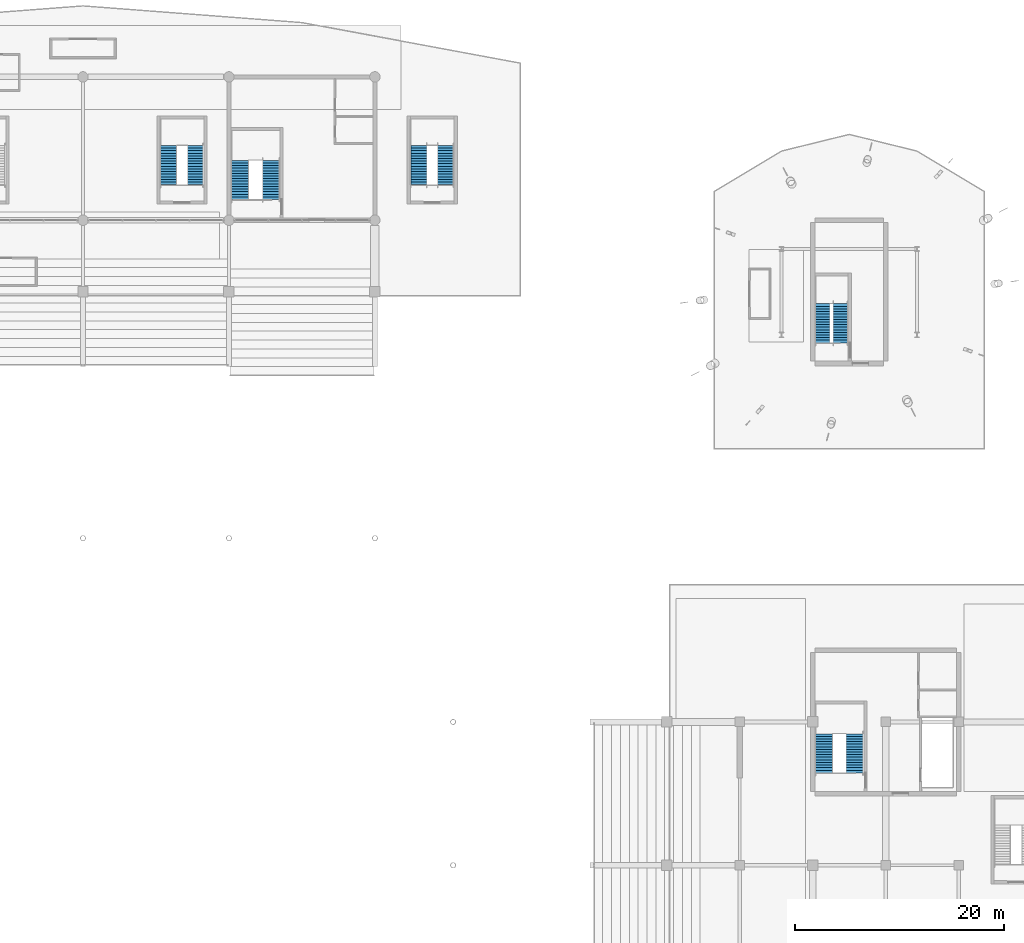
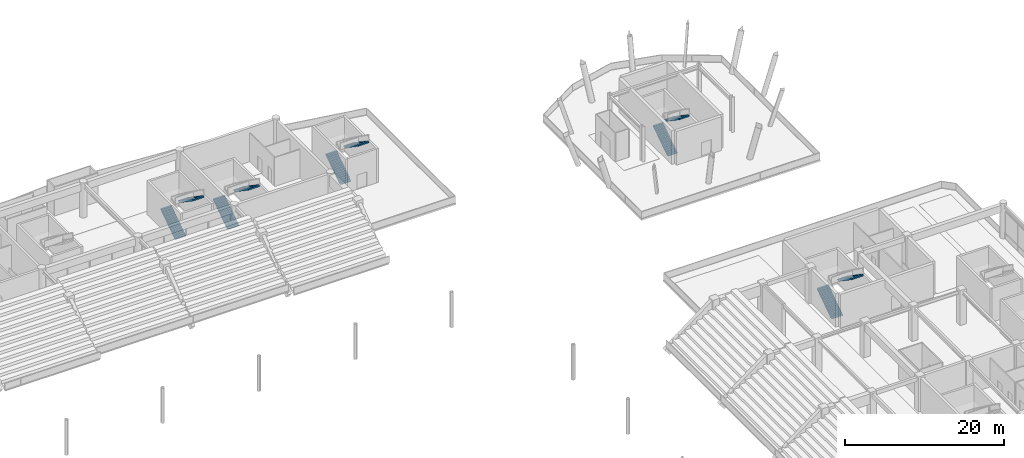
# One storey, part 102 of 117: 10 stair flights, 5 elements without a shape of their own.
"""IFC4 building model written with IfcOpenShell, lengths in metres."""

from ifc_helpers import new_model, si_unit, direction, frame, origin, place, context, subcontext, project, spatial, polyline, outline, extrude, material, type_object, element, aggregate, save


model = new_model("IFC4")

# Units and contexts
model_context = context("Model", 3, precision=1e-05, world=origin(), true_north=direction((0.0, 1.0)))
body_context = subcontext(model_context, "Body", "Model", "MODEL_VIEW")
ifc_project = project(units=[si_unit("LENGTHUNIT", "METRE"), si_unit("AREAUNIT", "SQUARE_METRE"), si_unit("VOLUMEUNIT", "CUBIC_METRE"), si_unit("PLANEANGLEUNIT", "RADIAN"), si_unit("MASSUNIT", "GRAM", prefix="KILO")], contexts=[model_context])

# Site, building, storey
site_placement = place(None, origin())
site = spatial("IfcSite", under=ifc_project, at=site_placement, CompositionType="ELEMENT")
building_placement = place(site_placement, origin())
building = spatial("IfcBuilding", under=site, at=building_placement, Name="Linyun Crest Stadium", CompositionType="ELEMENT")
storey_placement = place(building_placement, frame((0.0, 0.0, 6.0)))
storey = spatial("IfcBuildingStorey", under=building, at=storey_placement, Name="L02", CompositionType="ELEMENT", Elevation=6.0)

# Stair, stair flights
ifc_material_1 = material(Name="Concrete C40", Category="concrete")
stair_type = type_object("IfcStairType", Name="STA02", PredefinedType="HALF_TURN_STAIR", material=ifc_material_1)
stair_1_placement = place(storey_placement, origin())
stair_1 = element("IfcStair", 1, at=stair_1_placement, inside=storey, type_object=stair_type, Name="Evacuation stair STR-06-L02", PredefinedType="HALF_TURN_STAIR")
ifc_material_2 = material(Name="Concrete C40", Category="concrete")
stair_flight_type_1 = type_object("IfcStairFlightType", Name="STF01", PredefinedType="STRAIGHT", material=ifc_material_2)
stair_flight_1_placement = place(storey_placement, frame((71.090087890625, 38.489990234375, 0.0), z_axis=(0.0, 0.0, 1.0), x_axis=(0.0, 1.0, 0.0)))
stair_flight_1 = element("IfcStairFlight", 2, at=stair_flight_1_placement, type_object=stair_flight_type_1, Name="STR-06-L02 flight 1", NumberOfRisers=16, NumberOfTreads=15, PredefinedType="STRAIGHT", RiserHeight=0.16875, TreadLength=0.25, context=body_context, shape_type="SweptSolid", body=[
    extrude(outline(polyline([(0.0, 0.0), (0.0, 0.168701171875), (0.25, 0.168701171875), (0.25, 0.33740234375), (0.5, 0.33740234375), (0.5, 0.50634765625), (0.75, 0.50634765625), (0.75, 0.675048828125), (1.0, 0.675048828125), (1.0, 0.84375), (1.25, 0.84375), (1.25, 1.012451171875), (1.5, 1.012451171875), (1.5, 1.18115234375), (1.75, 1.18115234375), (1.75, 1.35009765625), (2.0, 1.35009765625), (2.0, 1.518798828125), (2.25, 1.518798828125), (2.25, 1.6875), (2.5, 1.6875), (2.5, 1.856201171875), (2.75, 1.856201171875), (2.75, 2.02490234375), (3.0, 2.02490234375), (3.0, 2.19384765625), (3.25, 2.19384765625), (3.25, 2.362548828125), (3.5, 2.362548828125), (3.5, 2.53125), (3.75, 2.53125), (3.75, 2.699951171875), (3.75, 2.314208984375), (0.321533203125, 0.0), (0.0, 0.0)])), frame((0.0, 0.824951171875, 0.0), z_axis=(0.0, -1.0, 0.0), x_axis=(1.0, 0.0, 0.0)), (0.0, 0.0, 1.0), 1.64990234375),
])
stair_flight_2_placement = place(storey_placement, frame((74.034912109375, 42.239990234375, 2.699951171875), z_axis=(0.0, 0.0, 1.0), x_axis=(0.0, -1.0, 0.0)))
stair_flight_2 = element("IfcStairFlight", 3, at=stair_flight_2_placement, type_object=stair_flight_type_1, Name="STR-06-L02 flight 2", NumberOfRisers=16, NumberOfTreads=15, PredefinedType="STRAIGHT", RiserHeight=0.16875, TreadLength=0.25, context=body_context, shape_type="SweptSolid", body=[
    extrude(outline(polyline([(0.0, 0.0), (0.0, 0.168701171875), (0.25, 0.168701171875), (0.25, 0.33740234375), (0.5, 0.33740234375), (0.5, 0.50634765625), (0.75, 0.50634765625), (0.75, 0.675048828125), (1.0, 0.675048828125), (1.0, 0.84375), (1.25, 0.84375), (1.25, 1.012451171875), (1.5, 1.012451171875), (1.5, 1.18115234375), (1.75, 1.18115234375), (1.75, 1.35009765625), (2.0, 1.35009765625), (2.0, 1.518798828125), (2.25, 1.518798828125), (2.25, 1.6875), (2.5, 1.6875), (2.5, 1.856201171875), (2.75, 1.856201171875), (2.75, 2.02490234375), (3.0, 2.02490234375), (3.0, 2.19384765625), (3.25, 2.19384765625), (3.25, 2.362548828125), (3.5, 2.362548828125), (3.5, 2.53125), (3.75, 2.53125), (3.75, 2.699951171875), (3.75, 2.314208984375), (0.321533203125, 0.0), (0.0, 0.0)])), frame((0.0, 0.824951171875, 0.0), z_axis=(0.0, -1.0, 0.0), x_axis=(1.0, 0.0, 0.0)), (0.0, 0.0, 1.0), 1.64990234375),
])
aggregate(stair_1, [stair_flight_1, stair_flight_2])

stair_2_placement = place(storey_placement, origin())
stair_2 = element("IfcStair", 4, at=stair_2_placement, inside=storey, type_object=stair_type, Name="Evacuation stair STR-08-L02", PredefinedType="HALF_TURN_STAIR")
stair_flight_3_placement = place(storey_placement, frame((15.06494140625, 93.489990234375, 0.0), z_axis=(0.0, 0.0, 1.0), x_axis=(0.0, 1.0, 0.0)))
stair_flight_3 = element("IfcStairFlight", 5, at=stair_flight_3_placement, type_object=stair_flight_type_1, Name="STR-08-L02 flight 1", NumberOfRisers=16, NumberOfTreads=15, PredefinedType="STRAIGHT", RiserHeight=0.16875, TreadLength=0.25, context=body_context, shape_type="SweptSolid", body=[
    extrude(outline(polyline([(0.0, 0.0), (0.0, 0.168701171875), (0.25, 0.168701171875), (0.25, 0.33740234375), (0.5, 0.33740234375), (0.5, 0.50634765625), (0.75, 0.50634765625), (0.75, 0.675048828125), (1.0, 0.675048828125), (1.0, 0.84375), (1.25, 0.84375), (1.25, 1.012451171875), (1.5, 1.012451171875), (1.5, 1.18115234375), (1.75, 1.18115234375), (1.75, 1.35009765625), (2.0, 1.35009765625), (2.0, 1.518798828125), (2.25, 1.518798828125), (2.25, 1.6875), (2.5, 1.6875), (2.5, 1.856201171875), (2.75, 1.856201171875), (2.75, 2.02490234375), (3.0, 2.02490234375), (3.0, 2.19384765625), (3.25, 2.19384765625), (3.25, 2.362548828125), (3.5, 2.362548828125), (3.5, 2.53125), (3.75, 2.53125), (3.75, 2.699951171875), (3.75, 2.314208984375), (0.321533203125, 0.0), (0.0, 0.0)])), frame((0.0, 0.824951171875, 0.0), z_axis=(0.0, -1.0, 0.0), x_axis=(1.0, 0.0, 0.0)), (0.0, 0.0, 1.0), 1.64990234375),
])
stair_flight_4_placement = place(storey_placement, frame((18.034912109375, 97.239990234375, 2.699951171875), z_axis=(0.0, 0.0, 1.0), x_axis=(0.0, -1.0, 0.0)))
stair_flight_4 = element("IfcStairFlight", 6, at=stair_flight_4_placement, type_object=stair_flight_type_1, Name="STR-08-L02 flight 2", NumberOfRisers=16, NumberOfTreads=15, PredefinedType="STRAIGHT", RiserHeight=0.16875, TreadLength=0.25, context=body_context, shape_type="SweptSolid", body=[
    extrude(outline(polyline([(0.0, 0.0), (0.0, 0.168701171875), (0.25, 0.168701171875), (0.25, 0.33740234375), (0.5, 0.33740234375), (0.5, 0.50634765625), (0.75, 0.50634765625), (0.75, 0.675048828125), (1.0, 0.675048828125), (1.0, 0.84375), (1.25, 0.84375), (1.25, 1.012451171875), (1.5, 1.012451171875), (1.5, 1.18115234375), (1.75, 1.18115234375), (1.75, 1.35009765625), (2.0, 1.35009765625), (2.0, 1.518798828125), (2.25, 1.518798828125), (2.25, 1.6875), (2.5, 1.6875), (2.5, 1.856201171875), (2.75, 1.856201171875), (2.75, 2.02490234375), (3.0, 2.02490234375), (3.0, 2.19384765625), (3.25, 2.19384765625), (3.25, 2.362548828125), (3.5, 2.362548828125), (3.5, 2.53125), (3.75, 2.53125), (3.75, 2.699951171875), (3.75, 2.314208984375), (0.321533203125, 0.0), (0.0, 0.0)])), frame((0.0, 0.824951171875, 0.0), z_axis=(0.0, -1.0, 0.0), x_axis=(1.0, 0.0, 0.0)), (0.0, 0.0, 1.0), 1.64990234375),
])
aggregate(stair_2, [stair_flight_3, stair_flight_4])

stair_3_placement = place(storey_placement, origin())
stair_3 = element("IfcStair", 7, at=stair_3_placement, inside=storey, type_object=stair_type, Name="Vomitory evacuation stair STR-25-L02", PredefinedType="HALF_TURN_STAIR")
ifc_material_3 = material(Name="Concrete C40", Category="concrete")
stair_flight_type_2 = type_object("IfcStairFlightType", Name="STF02", PredefinedType="STRAIGHT", material=ifc_material_3)
stair_flight_5_placement = place(storey_placement, frame((8.215087890625, 94.919921875, 0.0), z_axis=(0.0, 0.0, 1.0), x_axis=(0.0, 1.0, 0.0)))
stair_flight_5 = element("IfcStairFlight", 8, at=stair_flight_5_placement, type_object=stair_flight_type_2, Name="STR-25-L02 flight 1", NumberOfRisers=16, NumberOfTreads=15, PredefinedType="STRAIGHT", RiserHeight=0.16875, TreadLength=0.25, context=body_context, shape_type="SweptSolid", body=[
    extrude(outline(polyline([(0.0, 0.0), (0.0, 0.168701171875), (0.25, 0.168701171875), (0.25, 0.33740234375), (0.5, 0.33740234375), (0.5, 0.50634765625), (0.75, 0.50634765625), (0.75, 0.675048828125), (1.0, 0.675048828125), (1.0, 0.84375), (1.25, 0.84375), (1.25, 1.012451171875), (1.5, 1.012451171875), (1.5, 1.18115234375), (1.75, 1.18115234375), (1.75, 1.35009765625), (2.0, 1.35009765625), (2.0, 1.518798828125), (2.25, 1.518798828125), (2.25, 1.6875), (2.5, 1.6875), (2.5, 1.856201171875), (2.75, 1.856201171875), (2.75, 2.02490234375), (3.0, 2.02490234375), (3.0, 2.19384765625), (3.25, 2.19384765625), (3.25, 2.362548828125), (3.5, 2.362548828125), (3.5, 2.53125), (3.75, 2.53125), (3.75, 2.699951171875), (3.75, 2.314208984375), (0.321533203125, 0.0), (0.0, 0.0)])), frame((0.0, 0.77490234375, 0.0), z_axis=(0.0, -1.0, 0.0), x_axis=(1.0, 0.0, 0.0)), (0.0, 0.0, 1.0), 1.550048828125),
])
stair_flight_6_placement = place(storey_placement, frame((10.784912109375, 98.669921875, 2.699951171875), z_axis=(0.0, 0.0, 1.0), x_axis=(0.0, -1.0, 0.0)))
stair_flight_6 = element("IfcStairFlight", 9, at=stair_flight_6_placement, type_object=stair_flight_type_2, Name="STR-25-L02 flight 2", NumberOfRisers=16, NumberOfTreads=15, PredefinedType="STRAIGHT", RiserHeight=0.16875, TreadLength=0.25, context=body_context, shape_type="SweptSolid", body=[
    extrude(outline(polyline([(0.0, 0.0), (0.0, 0.168701171875), (0.25, 0.168701171875), (0.25, 0.33740234375), (0.5, 0.33740234375), (0.5, 0.50634765625), (0.75, 0.50634765625), (0.75, 0.675048828125), (1.0, 0.675048828125), (1.0, 0.84375), (1.25, 0.84375), (1.25, 1.012451171875), (1.5, 1.012451171875), (1.5, 1.18115234375), (1.75, 1.18115234375), (1.75, 1.35009765625), (2.0, 1.35009765625), (2.0, 1.518798828125), (2.25, 1.518798828125), (2.25, 1.6875), (2.5, 1.6875), (2.5, 1.856201171875), (2.75, 1.856201171875), (2.75, 2.02490234375), (3.0, 2.02490234375), (3.0, 2.19384765625), (3.25, 2.19384765625), (3.25, 2.362548828125), (3.5, 2.362548828125), (3.5, 2.53125), (3.75, 2.53125), (3.75, 2.699951171875), (3.75, 2.314208984375), (0.321533203125, 0.0), (0.0, 0.0)])), frame((0.0, 0.77490234375, 0.0), z_axis=(0.0, -1.0, 0.0), x_axis=(1.0, 0.0, 0.0)), (0.0, 0.0, 1.0), 1.550048828125),
])
aggregate(stair_3, [stair_flight_5, stair_flight_6])

stair_4_placement = place(storey_placement, origin())
stair_4 = element("IfcStair", 10, at=stair_4_placement, inside=storey, type_object=stair_type, Name="Vomitory evacuation stair STR-26-L02", PredefinedType="HALF_TURN_STAIR")
stair_flight_7_placement = place(storey_placement, frame((32.215087890625, 94.919921875, 0.0), z_axis=(0.0, 0.0, 1.0), x_axis=(0.0, 1.0, 0.0)))
stair_flight_7 = element("IfcStairFlight", 11, at=stair_flight_7_placement, type_object=stair_flight_type_2, Name="STR-26-L02 flight 1", NumberOfRisers=16, NumberOfTreads=15, PredefinedType="STRAIGHT", RiserHeight=0.16875, TreadLength=0.25, context=body_context, shape_type="SweptSolid", body=[
    extrude(outline(polyline([(0.0, 0.0), (0.0, 0.168701171875), (0.25, 0.168701171875), (0.25, 0.33740234375), (0.5, 0.33740234375), (0.5, 0.50634765625), (0.75, 0.50634765625), (0.75, 0.675048828125), (1.0, 0.675048828125), (1.0, 0.84375), (1.25, 0.84375), (1.25, 1.012451171875), (1.5, 1.012451171875), (1.5, 1.18115234375), (1.75, 1.18115234375), (1.75, 1.35009765625), (2.0, 1.35009765625), (2.0, 1.518798828125), (2.25, 1.518798828125), (2.25, 1.6875), (2.5, 1.6875), (2.5, 1.856201171875), (2.75, 1.856201171875), (2.75, 2.02490234375), (3.0, 2.02490234375), (3.0, 2.19384765625), (3.25, 2.19384765625), (3.25, 2.362548828125), (3.5, 2.362548828125), (3.5, 2.53125), (3.75, 2.53125), (3.75, 2.699951171875), (3.75, 2.314208984375), (0.321533203125, 0.0), (0.0, 0.0)])), frame((0.0, 0.77490234375, 0.0), z_axis=(0.0, -1.0, 0.0), x_axis=(1.0, 0.0, 0.0)), (0.0, 0.0, 1.0), 1.550048828125),
])
stair_flight_8_placement = place(storey_placement, frame((34.784912109375, 98.669921875, 2.699951171875), z_axis=(0.0, 0.0, 1.0), x_axis=(0.0, -1.0, 0.0)))
stair_flight_8 = element("IfcStairFlight", 12, at=stair_flight_8_placement, type_object=stair_flight_type_2, Name="STR-26-L02 flight 2", NumberOfRisers=16, NumberOfTreads=15, PredefinedType="STRAIGHT", RiserHeight=0.16875, TreadLength=0.25, context=body_context, shape_type="SweptSolid", body=[
    extrude(outline(polyline([(0.0, 0.0), (0.0, 0.168701171875), (0.25, 0.168701171875), (0.25, 0.33740234375), (0.5, 0.33740234375), (0.5, 0.50634765625), (0.75, 0.50634765625), (0.75, 0.675048828125), (1.0, 0.675048828125), (1.0, 0.84375), (1.25, 0.84375), (1.25, 1.012451171875), (1.5, 1.012451171875), (1.5, 1.18115234375), (1.75, 1.18115234375), (1.75, 1.35009765625), (2.0, 1.35009765625), (2.0, 1.518798828125), (2.25, 1.518798828125), (2.25, 1.6875), (2.5, 1.6875), (2.5, 1.856201171875), (2.75, 1.856201171875), (2.75, 2.02490234375), (3.0, 2.02490234375), (3.0, 2.19384765625), (3.25, 2.19384765625), (3.25, 2.362548828125), (3.5, 2.362548828125), (3.5, 2.53125), (3.75, 2.53125), (3.75, 2.699951171875), (3.75, 2.314208984375), (0.321533203125, 0.0), (0.0, 0.0)])), frame((0.0, 0.77490234375, 0.0), z_axis=(0.0, -1.0, 0.0), x_axis=(1.0, 0.0, 0.0)), (0.0, 0.0, 1.0), 1.550048828125),
])
aggregate(stair_4, [stair_flight_7, stair_flight_8])

stair_5_placement = place(storey_placement, origin())
stair_5 = element("IfcStair", 13, at=stair_5_placement, inside=storey, type_object=stair_type, Name="Evacuation stair STR-12-L02", PredefinedType="HALF_TURN_STAIR")
ifc_material_4 = material(Name="Concrete C40", Category="concrete")
stair_flight_type_3 = type_object("IfcStairFlightType", Name="STF03", PredefinedType="STRAIGHT", material=ifc_material_4)
stair_flight_9_placement = place(storey_placement, frame((70.965087890625, 79.739990234375, 0.0), z_axis=(0.0, 0.0, 1.0), x_axis=(0.0, 1.0, 0.0)))
stair_flight_9 = element("IfcStairFlight", 14, at=stair_flight_9_placement, type_object=stair_flight_type_3, Name="STR-12-L02 flight 1", NumberOfRisers=16, NumberOfTreads=15, PredefinedType="STRAIGHT", RiserHeight=0.16875, TreadLength=0.25, context=body_context, shape_type="SweptSolid", body=[
    extrude(outline(polyline([(0.0, 0.0), (0.0, 0.168701171875), (0.25, 0.168701171875), (0.25, 0.33740234375), (0.5, 0.33740234375), (0.5, 0.50634765625), (0.75, 0.50634765625), (0.75, 0.675048828125), (1.0, 0.675048828125), (1.0, 0.84375), (1.25, 0.84375), (1.25, 1.012451171875), (1.5, 1.012451171875), (1.5, 1.18115234375), (1.75, 1.18115234375), (1.75, 1.35009765625), (2.0, 1.35009765625), (2.0, 1.518798828125), (2.25, 1.518798828125), (2.25, 1.6875), (2.5, 1.6875), (2.5, 1.856201171875), (2.75, 1.856201171875), (2.75, 2.02490234375), (3.0, 2.02490234375), (3.0, 2.19384765625), (3.25, 2.19384765625), (3.25, 2.362548828125), (3.5, 2.362548828125), (3.5, 2.53125), (3.75, 2.53125), (3.75, 2.699951171875), (3.75, 2.326171875), (0.3037109375, 0.0), (0.0, 0.0)])), frame((0.0, 0.699951171875, 0.0), z_axis=(0.0, -1.0, 0.0), x_axis=(1.0, 0.0, 0.0)), (0.0, 0.0, 1.0), 1.39990234375),
])
stair_flight_10_placement = place(storey_placement, frame((72.659912109375, 83.489990234375, 2.699951171875), z_axis=(0.0, 0.0, 1.0), x_axis=(0.0, -1.0, 0.0)))
stair_flight_10 = element("IfcStairFlight", 15, at=stair_flight_10_placement, type_object=stair_flight_type_3, Name="STR-12-L02 flight 2", NumberOfRisers=16, NumberOfTreads=15, PredefinedType="STRAIGHT", RiserHeight=0.16875, TreadLength=0.25, context=body_context, shape_type="SweptSolid", body=[
    extrude(outline(polyline([(0.0, 0.0), (0.0, 0.168701171875), (0.25, 0.168701171875), (0.25, 0.33740234375), (0.5, 0.33740234375), (0.5, 0.50634765625), (0.75, 0.50634765625), (0.75, 0.675048828125), (1.0, 0.675048828125), (1.0, 0.84375), (1.25, 0.84375), (1.25, 1.012451171875), (1.5, 1.012451171875), (1.5, 1.18115234375), (1.75, 1.18115234375), (1.75, 1.35009765625), (2.0, 1.35009765625), (2.0, 1.518798828125), (2.25, 1.518798828125), (2.25, 1.6875), (2.5, 1.6875), (2.5, 1.856201171875), (2.75, 1.856201171875), (2.75, 2.02490234375), (3.0, 2.02490234375), (3.0, 2.19384765625), (3.25, 2.19384765625), (3.25, 2.362548828125), (3.5, 2.362548828125), (3.5, 2.53125), (3.75, 2.53125), (3.75, 2.699951171875), (3.75, 2.326171875), (0.3037109375, 0.0), (0.0, 0.0)])), frame((0.0, 0.699951171875, 0.0), z_axis=(0.0, -1.0, 0.0), x_axis=(1.0, 0.0, 0.0)), (0.0, 0.0, 1.0), 1.39990234375),
])
aggregate(stair_5, [stair_flight_9, stair_flight_10])

save(model, "model.ifc")
